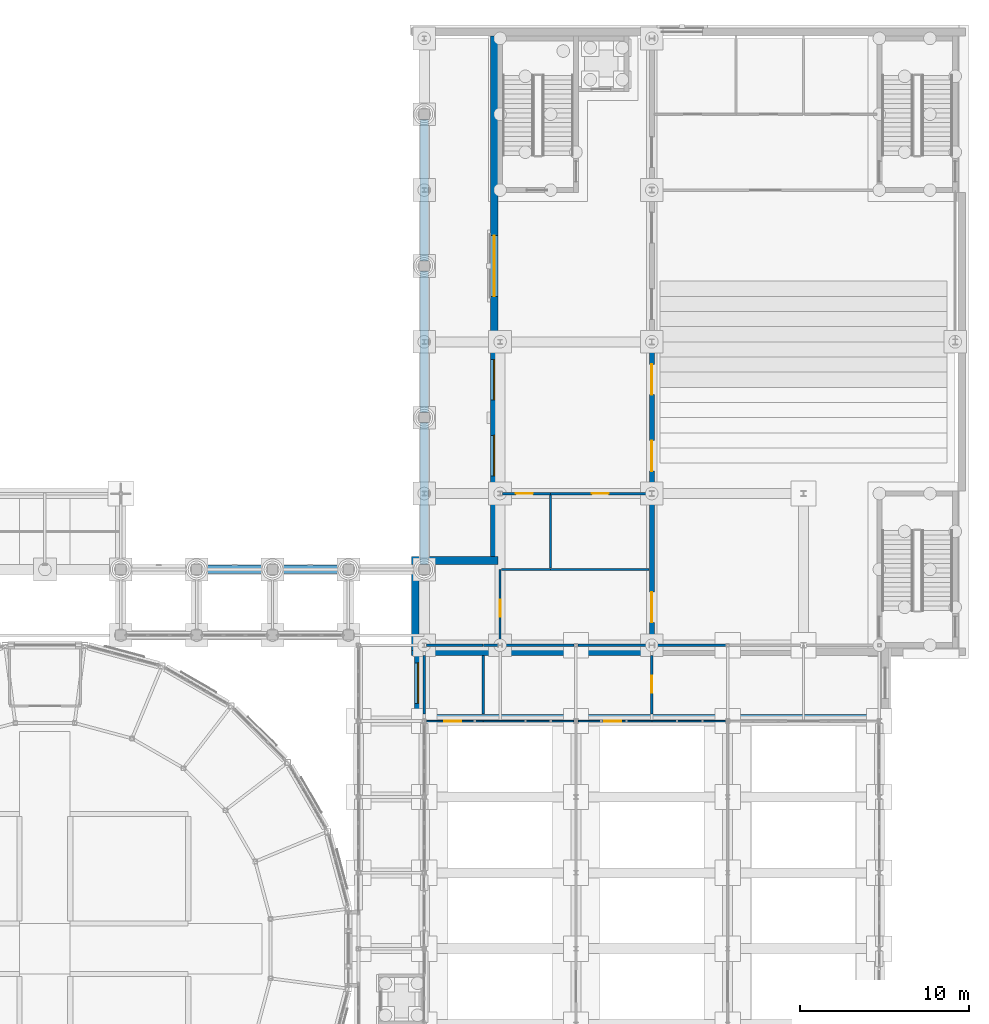
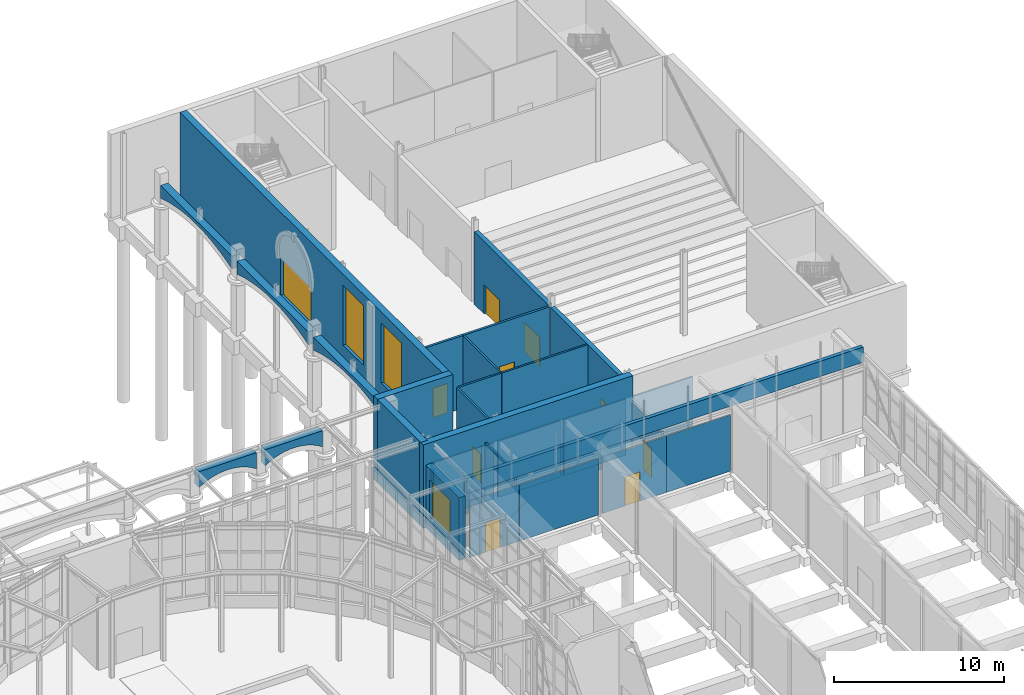
# One storey, part 73 of 106: 31 walls, 10 doors, 3 windows, 13 openings.
"""IFC4 building model written with IfcOpenShell, lengths in metres."""

from ifc_helpers import new_model, si_unit, direction, frame, frame_2d, origin, place, context, subcontext, project, spatial, polyline, rectangle, outline, extrude, material, layer, layer_set, type_object, element, fill, save


model = new_model("IFC4")

# Units and contexts
model_context = context("Model", 3, precision=1e-05, world=origin(), true_north=direction((0.0, 1.0)))
body_context = subcontext(model_context, "Body", "Model", "MODEL_VIEW")
ifc_project = project(units=[si_unit("LENGTHUNIT", "METRE"), si_unit("AREAUNIT", "SQUARE_METRE"), si_unit("VOLUMEUNIT", "CUBIC_METRE"), si_unit("PLANEANGLEUNIT", "RADIAN"), si_unit("MASSUNIT", "GRAM", prefix="KILO")], contexts=[model_context])

# Site, building, storey
site_placement = place(None, origin())
site = spatial("IfcSite", under=ifc_project, at=site_placement, CompositionType="ELEMENT")
building_placement = place(site_placement, origin())
building = spatial("IfcBuilding", under=site, at=building_placement, Name="Hortulan Conservatory and Botanical Research Centre", CompositionType="ELEMENT")
storey_placement = place(building_placement, origin())
storey = spatial("IfcBuildingStorey", under=building, at=storey_placement, Name="L00", CompositionType="ELEMENT", Elevation=0.0)

# Wall, opening, door
ifc_material_1 = material(Name="Brick masonry with acoustic lining", Category="masonry")
ifc_layer_1 = layer(ifc_material_1, 0.300048828125)
ifc_layer_set_1 = layer_set([ifc_layer_1], Name="Acoustic Hall Wall 300")
wall_type_1 = type_object("IfcWallType", Name="Acoustic Hall Wall 300", PredefinedType="STANDARD", material=ifc_layer_set_1)
wall_1_placement = place(storey_placement, frame((90.0, 36.17041015625, 0.0), z_axis=(0.0, 0.0, 1.0), x_axis=(0.0, 1.0, 0.0)))
wall_1 = element("IfcWall", 1, at=wall_1_placement, inside=storey, type_object=wall_type_1, Name="Auditorium hall wall L00 063", PredefinedType="STANDARD", context=body_context, shape_type="SweptSolid", body=[
    extrude(rectangle(XDim=8.6591796875, YDim=0.300048828125, at=frame_2d((4.32958984375, 0.0))), origin(), (0.0, 0.0, 1.0), 5.218017578125),
])
opening_1_placement = place(wall_1_placement, frame((1.179443359375, 0.0, 0.0)))
opening_1 = element("IfcOpeningElement", 2, at=opening_1_placement, cuts=wall_1, Name="Opening DT2", PredefinedType="OPENING", context=body_context, shape_type="SweptSolid", body=[
    extrude(rectangle(XDim=1.800048828125, YDim=2.10009765625, at=frame_2d((0.89990234375, 1.050048828125))), frame((0.0, 0.159912109375, 0.0), z_axis=(0.0, -1.0, 0.0), x_axis=(1.0, 0.0, 0.0)), (0.0, 0.0, 1.0), 0.320068359375),
])
ifc_material_2 = material(Name="Timber door leaf in timber frame", Category="wood")
door_type_1 = type_object("IfcDoorType", Name="Double Door 1800x2100", OperationType="DOUBLE_DOOR_SINGLE_SWING", PredefinedType="DOOR", material=ifc_material_2)
door_1_placement = place(opening_1_placement, frame((1.800048828125, 0.0, 0.0), z_axis=(0.0, 0.0, 1.0), x_axis=(-1.0, 0.0, 0.0)))
door_1 = element("IfcDoor", 3, at=door_1_placement, inside=storey, type_object=door_type_1, Name="Door DT2 Back-of-House Corridor to Stage and Stage House", OperationType="DOUBLE_DOOR_SINGLE_SWING", OverallHeight=2.10009765625, OverallWidth=1.800048828125, PredefinedType="DOOR", context=body_context, shape_type="SweptSolid", body=[
    extrude(rectangle(XDim=1.800048828125, YDim=2.10009765625, at=frame_2d((0.89990234375, 1.050048828125))), frame((0.0, 0.02490234375, 0.0), z_axis=(0.0, -1.0, 0.0), x_axis=(1.0, 0.0, 0.0)), (0.0, 0.0, 1.0), 0.050048828125),
])
fill(opening_1, door_1)

# Wall, openings, doors
wall_2_placement = place(storey_placement, frame((90.0, 45.17041015625, 0.0), z_axis=(0.0, 0.0, 1.0), x_axis=(0.0, 1.0, 0.0)))
wall_2 = element("IfcWall", 4, at=wall_2_placement, inside=storey, type_object=wall_type_1, Name="Auditorium hall wall L00 064", PredefinedType="STANDARD", context=body_context, shape_type="SweptSolid", body=[
    extrude(rectangle(XDim=8.6591796875, YDim=0.300048828125, at=frame_2d((4.32958984375, 0.0))), origin(), (0.0, 0.0, 1.0), 5.218017578125),
])
opening_2_placement = place(wall_2_placement, frame((1.16162109375, 0.0, 0.0)))
opening_2 = element("IfcOpeningElement", 5, at=opening_2_placement, cuts=wall_2, Name="Opening DL3", PredefinedType="OPENING", context=body_context, shape_type="SweptSolid", body=[
    extrude(rectangle(XDim=1.800048828125, YDim=2.10009765625, at=frame_2d((0.89990234375, 1.050048828125))), frame((0.0, 0.159912109375, 0.0), z_axis=(0.0, -1.0, 0.0), x_axis=(1.0, 0.0, 0.0)), (0.0, 0.0, 1.0), 0.320068359375),
])
opening_3_placement = place(wall_2_placement, frame((5.697509765625, 0.0, 0.0)))
opening_3 = element("IfcOpeningElement", 6, at=opening_3_placement, cuts=wall_2, Name="Opening DL3", PredefinedType="OPENING", context=body_context, shape_type="SweptSolid", body=[
    extrude(rectangle(XDim=1.800048828125, YDim=2.10009765625, at=frame_2d((0.89990234375, 1.050048828125))), frame((0.0, 0.159912109375, 0.0), z_axis=(0.0, -1.0, 0.0), x_axis=(1.0, 0.0, 0.0)), (0.0, 0.0, 1.0), 0.320068359375),
])
ifc_material_3 = material(Name="Timber door leaves in timber frame", Category="wood")
door_type_2 = type_object("IfcDoorType", Name="Auditorium Escape Door 1800 x 2100", OperationType="DOUBLE_DOOR_SINGLE_SWING", PredefinedType="DOOR", material=ifc_material_3)
door_2_placement = place(opening_2_placement, origin())
door_2 = element("IfcDoor", 7, at=door_2_placement, inside=storey, type_object=door_type_2, Name="Door DL3 Auditorium to Auditorium Foyer", OperationType="DOUBLE_DOOR_SINGLE_SWING", OverallHeight=2.10009765625, OverallWidth=1.800048828125, PredefinedType="DOOR", context=body_context, shape_type="SweptSolid", body=[
    extrude(rectangle(XDim=1.800048828125, YDim=2.10009765625, at=frame_2d((0.89990234375, 1.050048828125))), frame((0.0, 0.02490234375, 0.0), z_axis=(0.0, -1.0, 0.0), x_axis=(1.0, 0.0, 0.0)), (0.0, 0.0, 1.0), 0.050048828125),
])
fill(opening_2, door_2)
door_3_placement = place(opening_3_placement, origin())
door_3 = element("IfcDoor", 8, at=door_3_placement, inside=storey, type_object=door_type_2, Name="Door DL3 Auditorium to Auditorium Foyer", OperationType="DOUBLE_DOOR_SINGLE_SWING", OverallHeight=2.10009765625, OverallWidth=1.800048828125, PredefinedType="DOOR", context=body_context, shape_type="SweptSolid", body=[
    extrude(rectangle(XDim=1.800048828125, YDim=2.10009765625, at=frame_2d((0.89990234375, 1.050048828125))), frame((0.0, 0.02490234375, 0.0), z_axis=(0.0, -1.0, 0.0), x_axis=(1.0, 0.0, 0.0)), (0.0, 0.0, 1.0), 0.050048828125),
])
fill(opening_3, door_3)

# Wall
ifc_material_4 = material(Name="Plasterboard on steel studs", Category="steel")
ifc_layer_2 = layer(ifc_material_4, 0.14990234375)
ifc_layer_set_2 = layer_set([ifc_layer_2], Name="Corridor Partition 150")
wall_type_2 = type_object("IfcWallType", Name="Corridor Partition 150", PredefinedType="PARTITIONING", material=ifc_layer_set_2)
wall_3_placement = place(storey_placement, frame((76.5, 31.906982421875, 0.0), z_axis=(0.0, 0.0, 1.0), x_axis=(0.0, 1.0, 0.0)))
element("IfcWall", 9, at=wall_3_placement, inside=storey, type_object=wall_type_2, Name="Partition Tool Store and East Covered Passage L00", PredefinedType="PARTITIONING", context=body_context, shape_type="SweptSolid", body=[
    extrude(rectangle(XDim=3.478515625, YDim=0.14990234375, at=frame_2d((1.7392578125, 0.0))), origin(), (0.0, 0.0, 1.0), 4.052001953125),
])

# Wall, opening, door
wall_4_placement = place(storey_placement, frame((81.137939453125, 45.0, 0.0), z_axis=(0.0, 0.0, 1.0), x_axis=(1.0, 0.0, 0.0)))
wall_4 = element("IfcWall", 10, at=wall_4_placement, inside=storey, type_object=wall_type_2, Name="Partition Auditorium Foyer and Box Office L00", PredefinedType="PARTITIONING", context=body_context, shape_type="SweptSolid", body=[
    extrude(rectangle(XDim=2.85205078125, YDim=0.14990234375, at=frame_2d((1.426025390625, 0.0))), origin(), (0.0, 0.0, 1.0), 5.218017578125),
])
opening_4_placement = place(wall_4_placement, frame((0.80078125, 0.0, 0.0)))
opening_4 = element("IfcOpeningElement", 11, at=opening_4_placement, cuts=wall_4, Name="Opening DT1", PredefinedType="OPENING", context=body_context, shape_type="SweptSolid", body=[
    extrude(rectangle(XDim=1.0, YDim=2.10009765625, at=frame_2d((0.5, 1.050048828125))), frame((0.0, 0.0849609375, 0.0), z_axis=(0.0, -1.0, 0.0), x_axis=(1.0, 0.0, 0.0)), (0.0, 0.0, 1.0), 0.169921875),
])
door_type_3 = type_object("IfcDoorType", Name="Single Door 1000x2100", OperationType="NOTDEFINED", PredefinedType="DOOR", material=ifc_material_2)
door_4_placement = place(opening_4_placement, frame((1.0, 0.0, 0.0), z_axis=(0.0, 0.0, 1.0), x_axis=(-1.0, 0.0, 0.0)))
door_4 = element("IfcDoor", 12, at=door_4_placement, inside=storey, type_object=door_type_3, Name="Door DT1 Box Office to Auditorium Foyer", OperationType="SINGLE_SWING_RIGHT", OverallHeight=2.10009765625, OverallWidth=1.0, PredefinedType="DOOR", context=body_context, shape_type="SweptSolid", body=[
    extrude(rectangle(XDim=1.0, YDim=2.10009765625, at=frame_2d((0.5, 1.050048828125))), frame((0.0, 0.02490234375, 0.0), z_axis=(0.0, -1.0, 0.0), x_axis=(1.0, 0.0, 0.0)), (0.0, 0.0, 1.0), 0.050048828125),
])
fill(opening_4, door_4)

wall_5_placement = place(storey_placement, frame((84.0, 45.0, 0.0), z_axis=(0.0, 0.0, 1.0), x_axis=(1.0, 0.0, 0.0)))
wall_5 = element("IfcWall", 13, at=wall_5_placement, inside=storey, type_object=wall_type_2, Name="Partition Auditorium Foyer and Cloakroom L00", PredefinedType="PARTITIONING", context=body_context, shape_type="SweptSolid", body=[
    extrude(rectangle(XDim=5.83544921875, YDim=0.14990234375, at=frame_2d((2.917724609375, 0.0))), origin(), (0.0, 0.0, 1.0), 5.218017578125),
])
opening_5_placement = place(wall_5_placement, frame((2.43798828125, 0.0, 0.0)))
opening_5 = element("IfcOpeningElement", 14, at=opening_5_placement, cuts=wall_5, Name="Opening DT1", PredefinedType="OPENING", context=body_context, shape_type="SweptSolid", body=[
    extrude(rectangle(XDim=1.0, YDim=2.10009765625, at=frame_2d((0.5, 1.050048828125))), frame((0.0, 0.0849609375, 0.0), z_axis=(0.0, -1.0, 0.0), x_axis=(1.0, 0.0, 0.0)), (0.0, 0.0, 1.0), 0.169921875),
])
door_5_placement = place(opening_5_placement, frame((1.0, 0.0, 0.0), z_axis=(0.0, 0.0, 1.0), x_axis=(-1.0, 0.0, 0.0)))
door_5 = element("IfcDoor", 15, at=door_5_placement, inside=storey, type_object=door_type_3, Name="Door DT1 Cloakroom to Auditorium Foyer", OperationType="SINGLE_SWING_RIGHT", OverallHeight=2.10009765625, OverallWidth=1.0, PredefinedType="DOOR", context=body_context, shape_type="SweptSolid", body=[
    extrude(rectangle(XDim=1.0, YDim=2.10009765625, at=frame_2d((0.5, 1.050048828125))), frame((0.0, 0.02490234375, 0.0), z_axis=(0.0, -1.0, 0.0), x_axis=(1.0, 0.0, 0.0)), (0.0, 0.0, 1.0), 0.050048828125),
])
fill(opening_5, door_5)

ifc_material_5 = material(Name="Toughened glass in aluminium frame", Category="aluminium")
ifc_layer_3 = layer(ifc_material_5, 0.10009765625)
ifc_layer_set_3 = layer_set([ifc_layer_3], Name="Glasshouse Glazed Partition 100")
wall_type_3 = type_object("IfcWallType", Name="Glasshouse Glazed Partition 100", PredefinedType="PARTITIONING", material=ifc_layer_set_3)
wall_6_placement = place(storey_placement, frame((76.635009765625, 31.5, 0.0), z_axis=(0.0, 0.0, 1.0), x_axis=(1.0, 0.0, 0.0)))
wall_6 = element("IfcWall", 16, at=wall_6_placement, inside=storey, type_object=wall_type_3, Name="Partition Temperate Glasshouse and Tool Store L00", PredefinedType="PARTITIONING", context=body_context, shape_type="SweptSolid", body=[
    extrude(rectangle(XDim=3.35498046875, YDim=0.10009765625, at=frame_2d((1.677490234375, 0.0))), origin(), (0.0, 0.0, 1.0), 4.0458984375),
])
opening_6_placement = place(wall_6_placement, frame((1.053466796875, 0.0, 0.0)))
opening_6 = element("IfcOpeningElement", 17, at=opening_6_placement, cuts=wall_6, Name="Opening DL2", PredefinedType="OPENING", context=body_context, shape_type="SweptSolid", body=[
    extrude(rectangle(XDim=1.0, YDim=2.10009765625, at=frame_2d((0.5, 1.050048828125))), frame((0.0, 0.06005859375, 0.0), z_axis=(0.0, -1.0, 0.0), x_axis=(1.0, 0.0, 0.0)), (0.0, 0.0, 1.0), 0.1201171875),
])
ifc_material_6 = material(Name="Glazed aluminium door leaf in aluminium frame", Category="aluminium")
door_type_4 = type_object("IfcDoorType", Name="Glazed Single Door 1000 x 2100", OperationType="NOTDEFINED", PredefinedType="DOOR", material=ifc_material_6)
door_6_placement = place(opening_6_placement, origin())
door_6 = element("IfcDoor", 18, at=door_6_placement, inside=storey, type_object=door_type_4, Name="Door DL2 Tool Store to Temperate Glasshouse", OperationType="SINGLE_SWING_LEFT", OverallHeight=2.10009765625, OverallWidth=1.0, PredefinedType="DOOR", context=body_context, shape_type="SweptSolid", body=[
    extrude(rectangle(XDim=1.0, YDim=2.10009765625, at=frame_2d((0.5, 1.050048828125))), frame((0.0, 0.02490234375, 0.0), z_axis=(0.0, -1.0, 0.0), x_axis=(1.0, 0.0, 0.0)), (0.0, 0.0, 1.0), 0.050048828125),
])
fill(opening_6, door_6)

# Wall
wall_7_placement = place(storey_placement, frame((80.0, 31.5, 0.0), z_axis=(0.0, 0.0, 1.0), x_axis=(1.0, 0.0, 0.0)))
element("IfcWall", 19, at=wall_7_placement, inside=storey, type_object=wall_type_3, Name="Partition Temperate Glasshouse and Soil Store L00", PredefinedType="PARTITIONING", context=body_context, shape_type="SweptSolid", body=[
    extrude(rectangle(XDim=5.363037109375, YDim=0.10009765625, at=frame_2d((2.681640625, 0.0))), origin(), (0.0, 0.0, 1.0), 4.0458984375),
])

# Wall, opening, door
wall_8_placement = place(storey_placement, frame((85.636962890625, 31.5, 0.0), z_axis=(0.0, 0.0, 1.0), x_axis=(1.0, 0.0, 0.0)))
wall_8 = element("IfcWall", 20, at=wall_8_placement, inside=storey, type_object=wall_type_3, Name="Partition Arid Glasshouse and Soil Store L00", PredefinedType="PARTITIONING", context=body_context, shape_type="SweptSolid", body=[
    extrude(rectangle(XDim=4.363037109375, YDim=0.10009765625, at=frame_2d((2.181640625, 0.0))), origin(), (0.0, 0.0, 1.0), 4.0458984375),
])
opening_7_placement = place(wall_8_placement, frame((1.551025390625, 0.0, 0.0)))
opening_7 = element("IfcOpeningElement", 21, at=opening_7_placement, cuts=wall_8, Name="Opening DL2", PredefinedType="OPENING", context=body_context, shape_type="SweptSolid", body=[
    extrude(rectangle(XDim=1.0, YDim=2.10009765625, at=frame_2d((0.5, 1.050048828125))), frame((0.0, 0.06005859375, 0.0), z_axis=(0.0, -1.0, 0.0), x_axis=(1.0, 0.0, 0.0)), (0.0, 0.0, 1.0), 0.1201171875),
])
door_7_placement = place(opening_7_placement, origin())
door_7 = element("IfcDoor", 22, at=door_7_placement, inside=storey, type_object=door_type_4, Name="Door DL2 Soil Store to Arid Glasshouse", OperationType="SINGLE_SWING_LEFT", OverallHeight=2.10009765625, OverallWidth=1.0, PredefinedType="DOOR", context=body_context, shape_type="SweptSolid", body=[
    extrude(rectangle(XDim=1.0, YDim=2.10009765625, at=frame_2d((0.5, 1.050048828125))), frame((0.0, 0.02490234375, 0.0), z_axis=(0.0, -1.0, 0.0), x_axis=(1.0, 0.0, 0.0)), (0.0, 0.0, 1.0), 0.050048828125),
])
fill(opening_7, door_7)

# Walls
wall_9_placement = place(storey_placement, frame((90.010009765625, 31.5, 0.0), z_axis=(0.0, 0.0, 1.0), x_axis=(1.0, 0.0, 0.0)))
element("IfcWall", 23, at=wall_9_placement, inside=storey, type_object=wall_type_3, Name="Partition Arid Glasshouse and Gardeners' Workroom L00", PredefinedType="PARTITIONING", context=body_context, shape_type="SweptSolid", body=[
    extrude(rectangle(XDim=4.35302734375, YDim=0.10009765625, at=frame_2d((2.176513671875, 0.0))), origin(), (0.0, 0.0, 1.0), 4.0458984375),
])
ifc_layer_4 = layer(ifc_material_4, 0.125)
ifc_layer_set_4 = layer_set([ifc_layer_4], Name="Partition 125")
wall_type_4 = type_object("IfcWallType", Name="Partition 125", PredefinedType="PARTITIONING", material=ifc_layer_set_4)
wall_10_placement = place(storey_placement, frame((80.0, 31.906982421875, 0.0), z_axis=(0.0, 0.0, 1.0), x_axis=(0.0, 1.0, 0.0)))
element("IfcWall", 24, at=wall_10_placement, inside=storey, type_object=wall_type_4, Name="Partition Tool Store and Soil Store L00", PredefinedType="PARTITIONING", context=body_context, shape_type="SweptSolid", body=[
    extrude(rectangle(XDim=3.478515625, YDim=0.125, at=frame_2d((1.7392578125, 0.0))), origin(), (0.0, 0.0, 1.0), 4.699951171875),
])

# Wall, opening, door
wall_11_placement = place(storey_placement, frame((81.0, 36.139892578125, 0.0), z_axis=(0.0, 0.0, 1.0), x_axis=(0.0, 1.0, 0.0)))
wall_11 = element("IfcWall", 25, at=wall_11_placement, inside=storey, type_object=wall_type_4, Name="Partition Back-of-House Corridor and Stage Store L00", PredefinedType="PARTITIONING", context=body_context, shape_type="SweptSolid", body=[
    extrude(rectangle(XDim=4.360107421875, YDim=0.125, at=frame_2d((2.18017578125, 0.0))), origin(), (0.0, 0.0, 1.0), 5.218017578125),
])
opening_8_placement = place(wall_11_placement, frame((1.548095703125, 0.0, 0.0)))
opening_8 = element("IfcOpeningElement", 26, at=opening_8_placement, cuts=wall_11, Name="Opening DT1", PredefinedType="OPENING", context=body_context, shape_type="SweptSolid", body=[
    extrude(rectangle(XDim=1.0, YDim=2.10009765625, at=frame_2d((0.5, 1.050048828125))), frame((0.0, 0.072509765625, 0.0), z_axis=(0.0, -1.0, 0.0), x_axis=(1.0, 0.0, 0.0)), (0.0, 0.0, 1.0), 0.14501953125),
])
door_8_placement = place(opening_8_placement, origin())
door_8 = element("IfcDoor", 27, at=door_8_placement, inside=storey, type_object=door_type_3, Name="Door DT1 Stage Store to Back-of-House Corridor", OperationType="SINGLE_SWING_LEFT", OverallHeight=2.10009765625, OverallWidth=1.0, PredefinedType="DOOR", context=body_context, shape_type="SweptSolid", body=[
    extrude(rectangle(XDim=1.0, YDim=2.10009765625, at=frame_2d((0.5, 1.050048828125))), frame((0.0, 0.02490234375, 0.0), z_axis=(0.0, -1.0, 0.0), x_axis=(1.0, 0.0, 0.0)), (0.0, 0.0, 1.0), 0.050048828125),
])
fill(opening_8, door_8)

# Wall
wall_12_placement = place(storey_placement, frame((84.0, 40.572509765625, 0.0), z_axis=(0.0, 0.0, 1.0), x_axis=(0.0, 1.0, 0.0)))
element("IfcWall", 28, at=wall_12_placement, inside=storey, type_object=wall_type_4, Name="Partition Box Office and Cloakroom L00", PredefinedType="PARTITIONING", context=body_context, shape_type="SweptSolid", body=[
    extrude(rectangle(XDim=4.342529296875, YDim=0.125, at=frame_2d((2.17138671875, 0.0))), origin(), (0.0, 0.0, 1.0), 5.218017578125),
])

# Wall, opening, door
wall_13_placement = place(storey_placement, frame((90.0, 31.906982421875, 0.0), z_axis=(0.0, 0.0, 1.0), x_axis=(0.0, 1.0, 0.0)))
wall_13 = element("IfcWall", 29, at=wall_13_placement, inside=storey, type_object=wall_type_4, Name="Partition Soil Store and Gardeners' Workroom L00", PredefinedType="PARTITIONING", context=body_context, shape_type="SweptSolid", body=[
    extrude(rectangle(XDim=3.472412109375, YDim=0.125, at=frame_2d((1.736328125, 0.0))), origin(), (0.0, 0.0, 1.0), 4.097900390625),
])
opening_9_placement = place(wall_13_placement, frame((1.281005859375, 0.0, 0.0)))
opening_9 = element("IfcOpeningElement", 30, at=opening_9_placement, cuts=wall_13, Name="Opening DT1", PredefinedType="OPENING", context=body_context, shape_type="SweptSolid", body=[
    extrude(rectangle(XDim=1.0, YDim=2.10009765625, at=frame_2d((0.5, 1.050048828125))), frame((0.0, 0.072509765625, 0.0), z_axis=(0.0, -1.0, 0.0), x_axis=(1.0, 0.0, 0.0)), (0.0, 0.0, 1.0), 0.14501953125),
])
door_9_placement = place(opening_9_placement, frame((1.0, 0.0, 0.0), z_axis=(0.0, 0.0, 1.0), x_axis=(-1.0, 0.0, 0.0)))
door_9 = element("IfcDoor", 31, at=door_9_placement, inside=storey, type_object=door_type_3, Name="Door DT1 Gardeners' Workroom to Soil Store", OperationType="SINGLE_SWING_RIGHT", OverallHeight=2.10009765625, OverallWidth=1.0, PredefinedType="DOOR", context=body_context, shape_type="SweptSolid", body=[
    extrude(rectangle(XDim=1.0, YDim=2.10009765625, at=frame_2d((0.5, 1.050048828125))), frame((0.0, 0.02490234375, 0.0), z_axis=(0.0, -1.0, 0.0), x_axis=(1.0, 0.0, 0.0)), (0.0, 0.0, 1.0), 0.050048828125),
])
fill(opening_9, door_9)

# Walls
wall_14_placement = place(storey_placement, frame((76.637939453125, 36.0, 0.0), z_axis=(0.0, 0.0, 1.0), x_axis=(1.0, 0.0, 0.0)))
element("IfcWall", 32, at=wall_14_placement, inside=storey, type_object=wall_type_4, Name="Partition Stage Store and Tool Store L00", PredefinedType="PARTITIONING", context=body_context, shape_type="SweptSolid", body=[
    extrude(rectangle(XDim=3.362060546875, YDim=0.125, at=frame_2d((1.68115234375, 0.0))), origin(), (0.0, 0.0, 1.0), 4.0458984375),
])
wall_15_placement = place(storey_placement, frame((80.010009765625, 36.0, 0.0), z_axis=(0.0, 0.0, 1.0), x_axis=(1.0, 0.0, 0.0)))
element("IfcWall", 33, at=wall_15_placement, inside=storey, type_object=wall_type_4, Name="Partition Stage Store and Soil Store L00", PredefinedType="PARTITIONING", context=body_context, shape_type="SweptSolid", body=[
    extrude(rectangle(XDim=0.85205078125, YDim=0.125, at=frame_2d((0.426025390625, 0.0))), origin(), (0.0, 0.0, 1.0), 4.0458984375),
])
wall_16_placement = place(storey_placement, frame((81.137939453125, 36.0, 0.0), z_axis=(0.0, 0.0, 1.0), x_axis=(1.0, 0.0, 0.0)))
element("IfcWall", 34, at=wall_16_placement, inside=storey, type_object=wall_type_4, Name="Partition Back-of-House Corridor and Soil Store L00", PredefinedType="PARTITIONING", context=body_context, shape_type="SweptSolid", body=[
    extrude(rectangle(XDim=4.251953125, YDim=0.125, at=frame_2d((2.1259765625, 0.0))), origin(), (0.0, 0.0, 1.0), 4.0458984375),
])
for number, where, z_axis, x_axis, name in (
    (35, (85.610107421875, 36.0, 0.0), (0.0, 0.0, 1.0), (1.0, 0.0, 0.0), "Partition Back-of-House Corridor and Soil Store L00"),
    (36, (90.16455078125, 36.0, 0.0), (0.0, 0.0, 1.0), (1.0, 0.0, 0.0), "Partition Stage and Stage House and Gardeners' Workroom L00"),
):
    element("IfcWall", number, at=place(storey_placement, frame(where, z_axis=z_axis, x_axis=x_axis)), inside=storey, type_object=wall_type_4, Name=name, PredefinedType="PARTITIONING", context=body_context, shape_type="SweptSolid", body=[
        extrude(rectangle(XDim=4.225341796875, YDim=0.125, at=frame_2d((2.11279296875, 0.0))), origin(), (0.0, 0.0, 1.0), 4.0458984375),
    ])
wall_17_placement = place(storey_placement, frame((81.072509765625, 40.5, 0.0), z_axis=(0.0, 0.0, 1.0), x_axis=(1.0, 0.0, 0.0)))
element("IfcWall", 37, at=wall_17_placement, inside=storey, type_object=wall_type_4, Name="Partition Box Office and Back-of-House Corridor L00", PredefinedType="PARTITIONING", context=body_context, shape_type="SweptSolid", body=[
    extrude(rectangle(XDim=2.91748046875, YDim=0.125, at=frame_2d((1.458740234375, 0.0))), origin(), (0.0, 0.0, 1.0), 5.218017578125),
])
wall_18_placement = place(storey_placement, frame((84.0, 40.5, 0.0), z_axis=(0.0, 0.0, 1.0), x_axis=(1.0, 0.0, 0.0)))
element("IfcWall", 38, at=wall_18_placement, inside=storey, type_object=wall_type_4, Name="Partition Cloakroom and Back-of-House Corridor L00", PredefinedType="PARTITIONING", context=body_context, shape_type="SweptSolid", body=[
    extrude(rectangle(XDim=5.840087890625, YDim=0.125, at=frame_2d((2.919921875, 0.0))), origin(), (0.0, 0.0, 1.0), 5.218017578125),
])
ifc_material_7 = material(Name="Sandstone masonry (Hawkesbury yellow block)", Category="masonry")
ifc_layer_5 = layer(ifc_material_7, 0.5)
ifc_layer_set_5 = layer_set([ifc_layer_5], Name="Sandstone Arcade Spandrel Wall 500")
wall_type_5 = type_object("IfcWallType", Name="Sandstone Arcade Spandrel Wall 500", PredefinedType="STANDARD", material=ifc_layer_set_5)
for number, where, z_axis, x_axis, name in (
    (39, (63.300048828125, 40.5, 4.3388671875), (0.0, 0.0, 1.0), (1.0, 0.0, 0.0), "Arcade spandrel"),
    (40, (67.800048828125, 40.5, 4.3388671875), (0.0, 0.0, 1.0), (1.0, 0.0, 0.0), "Arcade spandrel"),
):
    element("IfcWall", number, at=place(storey_placement, frame(where, z_axis=z_axis, x_axis=x_axis)), inside=storey, type_object=wall_type_5, Name=name, PredefinedType="STANDARD", context=body_context, shape_type="SweptSolid", body=[
        extrude(outline(polyline([(0.0, 0.0), (0.324951171875, 0.199951171875), (0.64990234375, 0.354248046875), (0.97509765625, 0.468994140625), (1.300048828125, 0.548828125), (1.625, 0.595703125), (1.949951171875, 0.611083984375), (2.27490234375, 0.595703125), (2.60009765625, 0.548828125), (2.925048828125, 0.468994140625), (3.25, 0.354248046875), (3.574951171875, 0.199951171875), (3.89990234375, 0.0), (3.89990234375, 1.1572265625), (0.0, 1.1572265625), (0.0, 0.0)])), frame((0.0, 0.25, 0.0), z_axis=(0.0, -1.0, 0.0), x_axis=(1.0, 0.0, 0.0)), (0.0, 0.0, 1.0), 0.5),
    ])
for number, where, z_axis, x_axis, name in (
    (41, (76.5, 40.800048828125, 4.269287109375), (0.0, 0.0, 1.0), (0.0, 1.0, 0.0), "Arcade spandrel"),
    (42, (76.5, 49.800048828125, 4.269287109375), (0.0, 0.0, 1.0), (0.0, 1.0, 0.0), "Arcade spandrel"),
    (43, (76.5, 58.800048828125, 4.269287109375), (0.0, 0.0, 1.0), (0.0, 1.0, 0.0), "Arcade spandrel"),
):
    element("IfcWall", number, at=place(storey_placement, frame(where, z_axis=z_axis, x_axis=x_axis)), inside=storey, type_object=wall_type_5, Name=name, PredefinedType="STANDARD", context=body_context, shape_type="SweptSolid", body=[
        extrude(outline(polyline([(0.0, 0.0), (0.60009765625, 0.184326171875), (1.199951171875, 0.337890625), (1.800048828125, 0.46240234375), (2.39990234375, 0.558349609375), (3.0, 0.62646484375), (3.60009765625, 0.667236328125), (4.199951171875, 0.6806640625), (4.800048828125, 0.667236328125), (5.39990234375, 0.62646484375), (6.0, 0.558349609375), (6.60009765625, 0.46240234375), (7.199951171875, 0.337890625), (7.800048828125, 0.184326171875), (8.39990234375, 0.0), (8.39990234375, 0.9306640625), (0.0, 0.9306640625), (0.0, 0.0)])), frame((0.0, 0.25, 0.0), z_axis=(0.0, -1.0, 0.0), x_axis=(1.0, 0.0, 0.0)), (0.0, 0.0, 1.0), 0.5),
    ])
ifc_layer_6 = layer(ifc_material_7, 0.449951171875)
ifc_layer_set_6 = layer_set([ifc_layer_6], Name="Sandstone Masonry Cavity Wall 450")
wall_type_6 = type_object("IfcWallType", Name="Sandstone Masonry Cavity Wall 450", PredefinedType="STANDARD", material=ifc_layer_set_6)
wall_19_placement = place(storey_placement, frame((90.0, 35.62060546875, 0.0), z_axis=(0.0, 0.0, 1.0), x_axis=(-1.0, 0.0, 0.0)))
element("IfcWall", 44, at=wall_19_placement, inside=storey, type_object=wall_type_6, Name="E-EW-AUD-L00-FS1", PredefinedType="STANDARD", context=body_context, shape_type="SweptSolid", body=[
    extrude(rectangle(XDim=14.25, YDim=0.449951171875, at=frame_2d((7.125, 0.0))), origin(), (0.0, 0.0, 1.0), 6.0),
])
wall_20_placement = place(storey_placement, frame((75.97509765625, 35.699951171875, 0.0), z_axis=(0.0, 0.0, 1.0), x_axis=(0.0, 1.0, 0.0)))
element("IfcWall", 45, at=wall_20_placement, inside=storey, type_object=wall_type_6, Name="E-EW-AUD-L00-FW2", PredefinedType="STANDARD", context=body_context, shape_type="SweptSolid", body=[
    extrude(rectangle(XDim=5.10009765625, YDim=0.449951171875, at=frame_2d((2.550048828125, 0.0))), origin(), (0.0, 0.0, 1.0), 6.0),
])
wall_21_placement = place(storey_placement, frame((75.75, 41.02490234375, 0.0), z_axis=(0.0, 0.0, 1.0), x_axis=(1.0, 0.0, 0.0)))
element("IfcWall", 46, at=wall_21_placement, inside=storey, type_object=wall_type_6, Name="E-EW-AUD-L00-FN3", PredefinedType="STANDARD", context=body_context, shape_type="SweptSolid", body=[
    extrude(rectangle(XDim=5.1220703125, YDim=0.449951171875, at=frame_2d((2.56103515625, 0.0))), origin(), (0.0, 0.0, 1.0), 6.0),
])

# Wall, openings, door, windows
wall_22_placement = place(storey_placement, frame((80.64697265625, 41.25, 0.0), z_axis=(0.0, 0.0, 1.0), x_axis=(0.0, 1.0, 0.0)))
wall_22 = element("IfcWall", 47, at=wall_22_placement, inside=storey, type_object=wall_type_6, Name="E-EW-AUD-L00-FW4", PredefinedType="STANDARD", context=body_context, shape_type="SweptSolid", body=[
    extrude(rectangle(XDim=30.8779296875, YDim=0.449951171875, at=frame_2d((15.43896484375, 0.0))), origin(), (0.0, 0.0, 1.0), 6.0),
])
opening_10_placement = place(wall_22_placement, frame((15.449951171875, 0.0, 0.011962890625)))
opening_10 = element("IfcOpeningElement", 48, at=opening_10_placement, cuts=wall_22, Name="Opening ED5", PredefinedType="OPENING", context=body_context, shape_type="SweptSolid", body=[
    extrude(rectangle(XDim=3.60009765625, YDim=2.699951171875, at=frame_2d((1.800048828125, 1.35009765625))), frame((0.0, 0.23486328125, 0.0), z_axis=(0.0, -1.0, 0.0), x_axis=(1.0, 0.0, 0.0)), (0.0, 0.0, 1.0), 0.469970703125),
])
opening_11_placement = place(wall_22_placement, frame((4.800048828125, 0.0, 0.89990234375)))
opening_11 = element("IfcOpeningElement", 49, at=opening_11_placement, cuts=wall_22, Name="Opening W10", PredefinedType="OPENING", context=body_context, shape_type="SweptSolid", body=[
    extrude(rectangle(XDim=2.39990234375, YDim=4.300048828125, at=frame_2d((1.199951171875, 2.14990234375))), frame((0.0, 0.23486328125, 0.0), z_axis=(0.0, -1.0, 0.0), x_axis=(1.0, 0.0, 0.0)), (0.0, 0.0, 1.0), 0.469970703125),
])
opening_12_placement = place(wall_22_placement, frame((9.300048828125, 0.0, 0.89990234375)))
opening_12 = element("IfcOpeningElement", 50, at=opening_12_placement, cuts=wall_22, Name="Opening W10", PredefinedType="OPENING", context=body_context, shape_type="SweptSolid", body=[
    extrude(rectangle(XDim=2.39990234375, YDim=4.300048828125, at=frame_2d((1.199951171875, 2.14990234375))), frame((0.0, 0.23486328125, 0.0), z_axis=(0.0, -1.0, 0.0), x_axis=(1.0, 0.0, 0.0)), (0.0, 0.0, 1.0), 0.469970703125),
])
ifc_material_8 = material(Name="Bronze and toughened laminated glass", Category="glass")
door_type_5 = type_object("IfcDoorType", Name="Bronze Entrance Door Set 3600x2700", OperationType="DOUBLE_DOOR_DOUBLE_SWING", PredefinedType="DOOR", material=ifc_material_8)
door_10_placement = place(opening_10_placement, origin())
door_10 = element("IfcDoor", 51, at=door_10_placement, inside=storey, type_object=door_type_5, Name="Main entrance door", OperationType="DOUBLE_DOOR_DOUBLE_SWING", OverallHeight=2.699951171875, OverallWidth=3.60009765625, PredefinedType="DOOR", context=body_context, shape_type="SweptSolid", body=[
    extrude(rectangle(XDim=3.60009765625, YDim=2.699951171875, at=frame_2d((1.800048828125, 1.35009765625))), frame((0.0, 0.02490234375, 0.0), z_axis=(0.0, -1.0, 0.0), x_axis=(1.0, 0.0, 0.0)), (0.0, 0.0, 1.0), 0.050048828125),
])
fill(opening_10, door_10)
ifc_material_9 = material(Name="Bronze-finished aluminium frame with low-e laminated double glazing", Category="aluminium")
window_type_1 = type_object("IfcWindowType", Name="Sandstone Window 2400x4300", PartitioningType="SINGLE_PANEL", PredefinedType="WINDOW", material=ifc_material_9)
window_1_placement = place(opening_11_placement, origin())
window_1 = element("IfcWindow", 52, at=window_1_placement, inside=storey, type_object=window_type_1, Name="Sandstone window", OverallHeight=4.300048828125, OverallWidth=2.39990234375, PartitioningType="SINGLE_PANEL", PredefinedType="WINDOW", context=body_context, shape_type="SweptSolid", body=[
    extrude(rectangle(XDim=2.39990234375, YDim=4.300048828125, at=frame_2d((1.199951171875, 2.14990234375))), frame((0.0, 0.030029296875, 0.0), z_axis=(0.0, -1.0, 0.0), x_axis=(1.0, 0.0, 0.0)), (0.0, 0.0, 1.0), 0.06005859375),
])
fill(opening_11, window_1)
window_2_placement = place(opening_12_placement, origin())
window_2 = element("IfcWindow", 53, at=window_2_placement, inside=storey, type_object=window_type_1, Name="Sandstone window", OverallHeight=4.300048828125, OverallWidth=2.39990234375, PartitioningType="SINGLE_PANEL", PredefinedType="WINDOW", context=body_context, shape_type="SweptSolid", body=[
    extrude(rectangle(XDim=2.39990234375, YDim=4.300048828125, at=frame_2d((1.199951171875, 2.14990234375))), frame((0.0, 0.030029296875, 0.0), z_axis=(0.0, -1.0, 0.0), x_axis=(1.0, 0.0, 0.0)), (0.0, 0.0, 1.0), 0.06005859375),
])
fill(opening_12, window_2)

# Wall, opening, window
wall_23_placement = place(storey_placement, frame((76.14697265625, 31.5, 0.0), z_axis=(0.0, 0.0, 1.0), x_axis=(0.0, 1.0, 0.0)))
wall_23 = element("IfcWall", 54, at=wall_23_placement, inside=storey, type_object=wall_type_6, Name="E-EW-GB-L00-W1", PredefinedType="STANDARD", context=body_context, shape_type="SweptSolid", body=[
    extrude(rectangle(XDim=4.5, YDim=0.449951171875, at=frame_2d((2.25, 0.0))), origin(), (0.0, 0.0, 1.0), 4.5),
])
opening_13_placement = place(wall_23_placement, frame((1.050048828125, 0.0, 0.89990234375)))
opening_13 = element("IfcOpeningElement", 55, at=opening_13_placement, cuts=wall_23, Name="Opening W2", PredefinedType="OPENING", context=body_context, shape_type="SweptSolid", body=[
    extrude(rectangle(XDim=2.39990234375, YDim=2.800048828125, at=frame_2d((1.199951171875, 1.39990234375))), frame((0.0, 0.23486328125, 0.0), z_axis=(0.0, -1.0, 0.0), x_axis=(1.0, 0.0, 0.0)), (0.0, 0.0, 1.0), 0.469970703125),
])
window_type_2 = type_object("IfcWindowType", Name="Sandstone Window 2400x2800", PartitioningType="SINGLE_PANEL", PredefinedType="WINDOW", material=ifc_material_9)
window_3_placement = place(opening_13_placement, origin())
window_3 = element("IfcWindow", 56, at=window_3_placement, inside=storey, type_object=window_type_2, Name="Sandstone window", OverallHeight=2.800048828125, OverallWidth=2.39990234375, PartitioningType="SINGLE_PANEL", PredefinedType="WINDOW", context=body_context, shape_type="SweptSolid", body=[
    extrude(rectangle(XDim=2.39990234375, YDim=2.800048828125, at=frame_2d((1.199951171875, 1.39990234375))), frame((0.0, 0.030029296875, 0.0), z_axis=(0.0, -1.0, 0.0), x_axis=(1.0, 0.0, 0.0)), (0.0, 0.0, 1.0), 0.06005859375),
])
fill(opening_13, window_3)

# Wall
ifc_layer_7 = layer(ifc_material_7, 0.25)
ifc_layer_set_7 = layer_set([ifc_layer_7], Name="Sandstone Roof Parapet 250")
wall_type_7 = type_object("IfcWallType", Name="Sandstone Roof Parapet 250", PredefinedType="PARAPET", material=ifc_layer_set_7)
wall_24_placement = place(storey_placement, frame((103.5, 31.77197265625, 4.5), z_axis=(0.0, 0.0, 1.0), x_axis=(-1.0, 0.0, 0.0)))
element("IfcWall", 57, at=wall_24_placement, inside=storey, type_object=wall_type_7, Name="Roof parapet", PredefinedType="PARAPET", context=body_context, shape_type="SweptSolid", body=[
    extrude(rectangle(XDim=27.0, YDim=0.25, at=frame_2d((13.5, 0.0))), origin(), (0.0, 0.0, 1.0), 1.10009765625),
])

save(model, "model.ifc")
